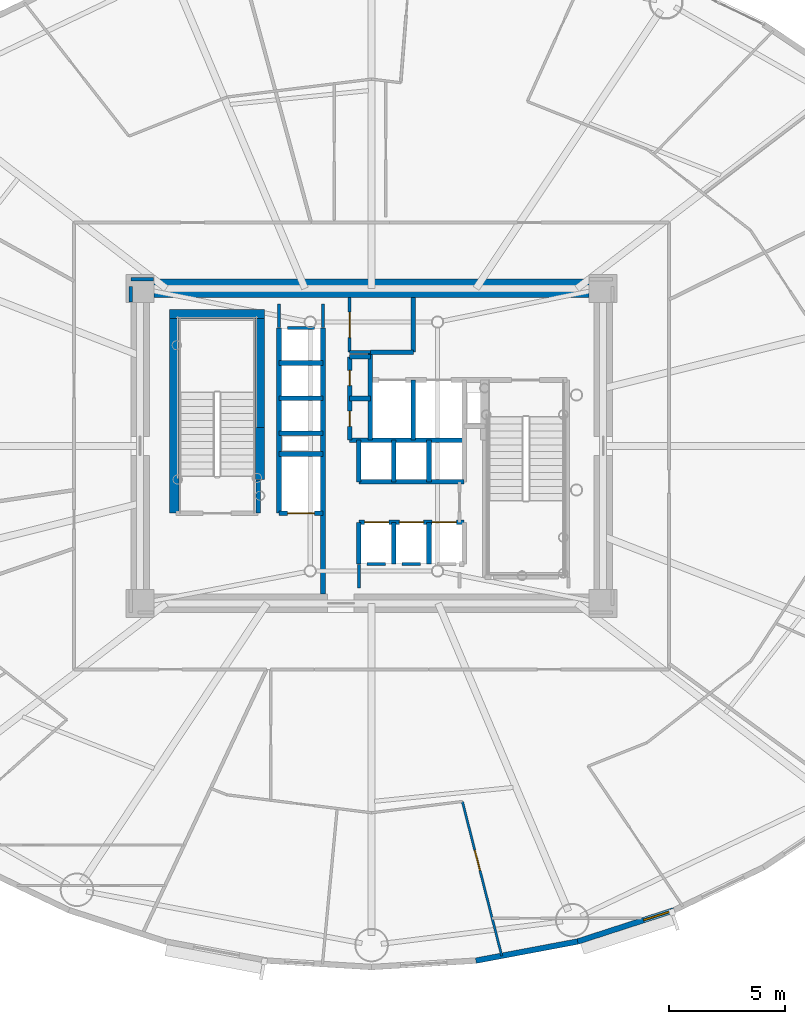
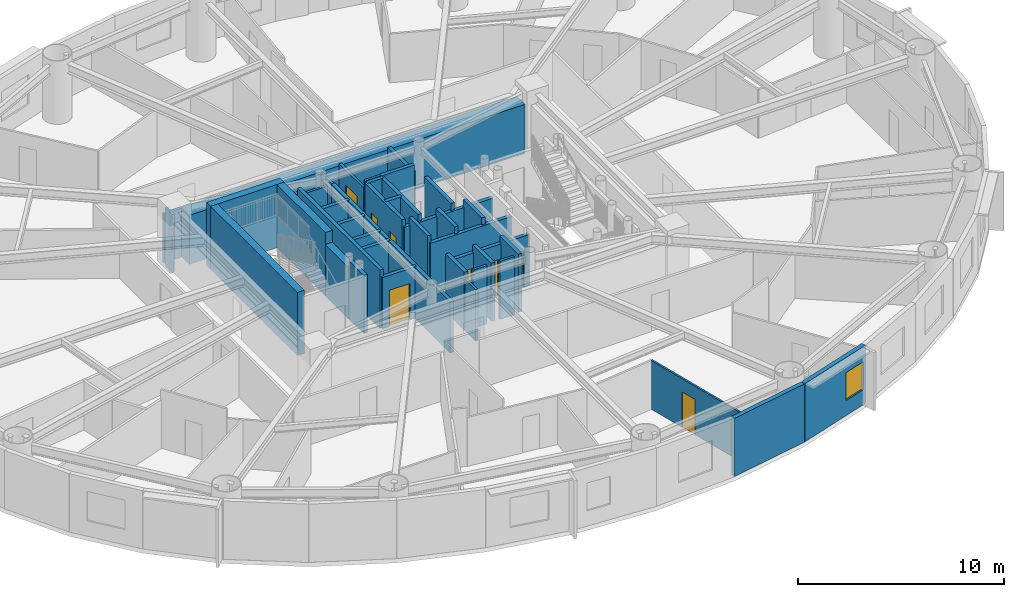
# One storey, part 8 of 17: 42 walls, 8 doors, 1 window, 9 openings.
"""IFC4 building model written with IfcOpenShell, lengths in metres."""

from ifc_helpers import new_model, si_unit, direction, frame, frame_2d, origin, origin_2d, place, context, subcontext, project, spatial, rectangle, extrude, source, transform, mapped, material, layer, layer_set, type_object, element, fill, save


model = new_model("IFC4")

# Units and contexts
model_context = context("Model", 3, precision=1e-05, world=origin(), true_north=direction((0.0, 1.0)))
body_context = subcontext(model_context, "Body", "Model", "MODEL_VIEW")
ifc_project = project(units=[si_unit("LENGTHUNIT", "METRE"), si_unit("AREAUNIT", "SQUARE_METRE"), si_unit("VOLUMEUNIT", "CUBIC_METRE"), si_unit("PLANEANGLEUNIT", "RADIAN"), si_unit("MASSUNIT", "GRAM", prefix="KILO")], contexts=[model_context])

# Site, building, storey
site_placement = place(None, origin())
site = spatial("IfcSite", under=ifc_project, at=site_placement, CompositionType="ELEMENT")
building_placement = place(site_placement, origin())
building = spatial("IfcBuilding", under=site, at=building_placement, Name="Linh Dai School and Residence Tower", CompositionType="ELEMENT")
storey_placement = place(building_placement, frame((0.0, 0.0, 142.199951171875)))
storey = spatial("IfcBuildingStorey", under=building, at=storey_placement, Name="L34", CompositionType="ELEMENT", Elevation=142.199951171875)

# Wall
ifc_material_1 = material(Name="Precast Concrete B45 (C35/45)", Category="concrete")
ifc_layer_1 = layer(ifc_material_1, 0.239990234375)
ifc_layer_set_1 = layer_set([ifc_layer_1], Name="Precast Concrete B45 (C35/45)")
wall_type_1 = type_object("IfcWallType", Name="EW-TC-240", PredefinedType="SOLIDWALL", material=ifc_layer_set_1)
wall_1_placement = place(storey_placement, frame((44.899658203125, 5.5986328125, 0.0), z_axis=(0.0, 0.0, 1.0), x_axis=(-0.982789252177, -0.184730305596, 0.0)))
element("IfcWall", 1, at=wall_1_placement, inside=storey, type_object=wall_type_1, Name="L34 Terracotta Exterior Wall 32", PredefinedType="SOLIDWALL", context=body_context, shape_type="SweptSolid", body=[
    extrude(rectangle(XDim=4.470947265625, YDim=0.239990234375, at=frame_2d((2.2353515625, 0.0))), origin(), (0.0, 0.0, 1.0), 3.449951171875),
])

# Wall, opening, window
wall_2_placement = place(storey_placement, frame((49.073974609375, 6.95263671875, 0.0), z_axis=(0.0, 0.0, 1.0), x_axis=(-0.951211346073, -0.308540070495, 0.0)))
wall_2 = element("IfcWall", 2, at=wall_2_placement, inside=storey, type_object=wall_type_1, Name="L34 Terracotta Exterior Wall 33", PredefinedType="SOLIDWALL", context=body_context, shape_type="SweptSolid", body=[
    extrude(rectangle(XDim=4.388427734375, YDim=0.239990234375, at=frame_2d((2.1943359375, 0.0))), origin(), (0.0, 0.0, 1.0), 3.449951171875),
])
opening_1_placement = place(wall_2_placement, frame((0.139892578125, 0.0, 0.89990234375)))
opening_1 = element("IfcOpeningElement", 3, at=opening_1_placement, cuts=wall_2, Name="Opening W3", PredefinedType="OPENING", context=body_context, shape_type="SweptSolid", body=[
    extrude(rectangle(XDim=1.25, YDim=1.64990234375, at=origin_2d()), frame((0.625, 0.1298828125, 0.824951171875), z_axis=(0.0, -1.0, 0.0), x_axis=(1.0, 0.0, 0.0)), (0.0, 0.0, 1.0), 0.260009765625),
])
ifc_material_2 = material(Name="Double Low-E Insulated Glazing", Category="glass")
window_type = type_object("IfcWindowType", Name="WN-RES-1250x1650", PartitioningType="SINGLE_PANEL", PredefinedType="WINDOW", material=ifc_material_2)
shared_shape_1 = source(origin(), body_context, "Body", "SweptSolid", [
    extrude(rectangle(XDim=1.25, YDim=1.64990234375, at=origin_2d()), frame((0.625, 0.030029296875, 0.824951171875), z_axis=(0.0, -1.0, 0.0), x_axis=(1.0, 0.0, 0.0)), (0.0, 0.0, 1.0), 0.06005859375),
])
window_placement = place(opening_1_placement, origin())
window = element("IfcWindow", 4, at=window_placement, inside=storey, type_object=window_type, Name="L34 Dwelling Window U3402-LIV", OverallHeight=1.64990234375, OverallWidth=1.25, PartitioningType="SINGLE_PANEL", PredefinedType="WINDOW", context=body_context, shape_type="MappedRepresentation", body=[
    mapped(shared_shape_1, transform((0.0, 0.0, 0.0), x_axis=(1.0, 0.0, 0.0), y_axis=(0.0, 1.0, 0.0), z_axis=(0.0, 0.0, 1.0), scale=1.0)),
])
fill(opening_1, window)

# Wall, opening, door
ifc_material_3 = material(Name="Autoclaved Aerated Concrete Blockwork", Category="masonry")
ifc_layer_2 = layer(ifc_material_3, 0.135009765625)
ifc_layer_set_2 = layer_set([ifc_layer_2], Name="Autoclaved Aerated Concrete Blockwork")
wall_type_2 = type_object("IfcWallType", Name="IW-CORR-135-EI90", PredefinedType="PARTITIONING", material=ifc_layer_set_2)
wall_3_placement = place(storey_placement, frame((35.050048828125, 31.050048828125, 0.0), z_axis=(0.0, 0.0, 1.0), x_axis=(0.0, 1.0, 0.0)))
wall_3 = element("IfcWall", 5, at=wall_3_placement, inside=storey, type_object=wall_type_2, Name="L34 Interior Partition Wall 041", PredefinedType="PARTITIONING", context=body_context, shape_type="SweptSolid", body=[
    extrude(rectangle(XDim=2.349853515625, YDim=0.135009765625, at=frame_2d((1.1748046875, 0.0))), origin(), (0.0, 0.0, 1.0), 3.03515625),
])
opening_2_placement = place(wall_3_placement, frame((0.625, 0.0, 0.0)))
opening_2 = element("IfcOpeningElement", 6, at=opening_2_placement, cuts=wall_3, Name="Opening D07", PredefinedType="OPENING", context=body_context, shape_type="SweptSolid", body=[
    extrude(rectangle(XDim=1.10009765625, YDim=2.14990234375, at=origin_2d()), frame((0.550048828125, 0.07763671875, 1.074951171875), z_axis=(0.0, -1.0, 0.0), x_axis=(1.0, 0.0, 0.0)), (0.0, 0.0, 1.0), 0.155029296875),
])
ifc_material_4 = material(Name="Fire-Rated Louvred Steel Plant Door", Category="steel")
door_type_1 = type_object("IfcDoorType", Name="DR-PLT-1100x2150-FD60S", OperationType="NOTDEFINED", PredefinedType="DOOR", material=ifc_material_4)
shared_shape_2 = source(origin(), body_context, "Body", "SweptSolid", [
    extrude(rectangle(XDim=1.10009765625, YDim=2.14990234375, at=origin_2d()), frame((0.550048828125, 0.02490234375, 1.074951171875), z_axis=(0.0, -1.0, 0.0), x_axis=(1.0, 0.0, 0.0)), (0.0, 0.0, 1.0), 0.050048828125),
])
door_1_placement = place(opening_2_placement, origin())
door_1 = element("IfcDoor", 7, at=door_1_placement, inside=storey, type_object=door_type_1, Name="L34 North BMS Switchroom Door", OperationType="SINGLE_SWING_RIGHT", OverallHeight=2.14990234375, OverallWidth=1.10009765625, PredefinedType="DOOR", context=body_context, shape_type="MappedRepresentation", body=[
    mapped(shared_shape_2, transform((0.0, 0.0, 0.0), x_axis=(1.0, 0.0, 0.0), y_axis=(0.0, 1.0, 0.0), z_axis=(0.0, 0.0, 1.0), scale=1.0)),
])
fill(opening_2, door_1)

# Walls
wall_4_placement = place(storey_placement, frame((35.050048828125, 31.050048828125, 0.0), z_axis=(0.0, 0.0, 1.0), x_axis=(1.0, 0.0, 0.0)))
element("IfcWall", 8, at=wall_4_placement, inside=storey, type_object=wall_type_2, Name="L34 Interior Partition Wall 042", PredefinedType="PARTITIONING", context=body_context, shape_type="SweptSolid", body=[
    extrude(rectangle(XDim=0.89990234375, YDim=0.135009765625, at=frame_2d((0.449951171875, 0.0))), origin(), (0.0, 0.0, 1.0), 3.449951171875),
])
wall_5_placement = place(storey_placement, frame((36.60009765625, 21.89990234375, 0.0), z_axis=(0.0, 0.0, 1.0), x_axis=(-1.0, 0.0, 0.0)))
element("IfcWall", 9, at=wall_5_placement, inside=storey, type_object=wall_type_2, Name="L34 Interior Partition Wall 093", PredefinedType="PARTITIONING", context=body_context, shape_type="SweptSolid", body=[
    extrude(rectangle(XDim=0.7900390625, YDim=0.135009765625, at=frame_2d((0.39501953125, 0.0))), origin(), (0.0, 0.0, 1.0), 3.449951171875),
])
wall_6_placement = place(storey_placement, frame((38.1201171875, 21.89990234375, 0.0), z_axis=(0.0, 0.0, 1.0), x_axis=(-1.0, 0.0, 0.0)))
element("IfcWall", 10, at=wall_6_placement, inside=storey, type_object=wall_type_2, Name="L34 Interior Partition Wall 094", PredefinedType="PARTITIONING", context=body_context, shape_type="SweptSolid", body=[
    extrude(rectangle(XDim=0.800048828125, YDim=0.135009765625, at=frame_2d((0.39990234375, 0.0))), origin(), (0.0, 0.0, 1.0), 3.449951171875),
])
wall_7_placement = place(storey_placement, frame((32.360107421875, 32.10009765625, 0.0), z_axis=(0.0, 0.0, 1.0), x_axis=(1.0, 0.0, 0.0)))
element("IfcWall", 11, at=wall_7_placement, inside=storey, type_object=wall_type_2, Name="L34 Interior Partition Wall 096", PredefinedType="PARTITIONING", context=body_context, shape_type="SweptSolid", body=[
    extrude(rectangle(XDim=1.179931640625, YDim=0.135009765625, at=frame_2d((0.58984375, 0.0))), origin(), (0.0, 0.0, 1.0), 3.03515625),
])
wall_8_placement = place(storey_placement, frame((32.0, 33.139892578125, 0.0), z_axis=(0.0, 0.0, 1.0), x_axis=(0.0, -1.0, 0.0)))
element("IfcWall", 12, at=wall_8_placement, inside=storey, type_object=wall_type_2, Name="L34 Interior Partition Wall 098", PredefinedType="PARTITIONING", context=body_context, shape_type="SweptSolid", body=[
    extrude(rectangle(XDim=1.02978515625, YDim=0.135009765625, at=frame_2d((0.514892578125, 0.0))), origin(), (0.0, 0.0, 1.0), 2.985107421875),
])
for number, where, z_axis, x_axis, name in (
    (13, (35.449951171875, 21.889892578125, 0.0), (0.0, 0.0, 1.0), (0.0, -1.0, 0.0), "L34 Interior Partition Wall 100"),
    (14, (33.89990234375, 32.110107421875, 0.0), (0.0, 0.0, 1.0), (0.0, 1.0, 0.0), "L34 Interior Partition Wall 101"),
):
    element("IfcWall", number, at=place(storey_placement, frame(where, z_axis=z_axis, x_axis=x_axis)), inside=storey, type_object=wall_type_2, Name=name, PredefinedType="PARTITIONING", context=body_context, shape_type="SweptSolid", body=[
        extrude(rectangle(XDim=1.02978515625, YDim=0.135009765625, at=frame_2d((0.514892578125, 0.0))), origin(), (0.0, 0.0, 1.0), 3.03515625),
    ])
wall_9_placement = place(storey_placement, frame((26.590087890625, 34.199951171875, 0.0), z_axis=(0.0, 0.0, 1.0), x_axis=(-1.0, 0.0, 0.0)))
element("IfcWall", 15, at=wall_9_placement, inside=storey, type_object=wall_type_2, Name="L34 Interior Partition Wall 105", PredefinedType="PARTITIONING", context=body_context, shape_type="SweptSolid", body=[
    extrude(rectangle(XDim=0.989990234375, YDim=0.135009765625, at=frame_2d((0.4951171875, 0.0))), origin(), (0.0, 0.0, 1.0), 2.885009765625),
])
wall_10_placement = place(storey_placement, frame((25.60009765625, 33.892578125, 0.0), z_axis=(0.0, 0.0, 1.0), x_axis=(0.0, -1.0, 0.0)))
element("IfcWall", 16, at=wall_10_placement, inside=storey, type_object=wall_type_2, Name="L34 Interior Partition Wall 106", PredefinedType="PARTITIONING", context=body_context, shape_type="SweptSolid", body=[
    extrude(rectangle(XDim=0.6826171875, YDim=0.135009765625, at=frame_2d((0.34130859375, 0.0))), origin(), (0.0, 0.0, 1.0), 3.449951171875),
])
ifc_material_5 = material(Name="Concrete B45 (C35/45)", Category="concrete")
ifc_layer_3 = layer(ifc_material_5, 0.199951171875)
ifc_layer_set_3 = layer_set([ifc_layer_3], Name="Concrete B45 (C35/45)")
wall_type_3 = type_object("IfcWallType", Name="IW-SHAFT-200-EI120", PredefinedType="PARTITIONING", material=ifc_layer_set_3)
wall_11_placement = place(storey_placement, frame((31.10009765625, 24.10009765625, 0.0), z_axis=(0.0, 0.0, 1.0), x_axis=(0.0, 1.0, 0.0)))
element("IfcWall", 17, at=wall_11_placement, inside=storey, type_object=wall_type_3, Name="L34 Interior Partition Wall 025", PredefinedType="PARTITIONING", context=body_context, shape_type="SweptSolid", body=[
    extrude(rectangle(XDim=1.43994140625, YDim=0.199951171875, at=frame_2d((0.719970703125, 0.0))), origin(), (0.0, 0.0, 1.0), 3.449951171875),
])
wall_12_placement = place(storey_placement, frame((32.0, 24.10009765625, 0.0), z_axis=(0.0, 0.0, 1.0), x_axis=(0.0, 1.0, 0.0)))
element("IfcWall", 18, at=wall_12_placement, inside=storey, type_object=wall_type_3, Name="L34 Interior Partition Wall 028", PredefinedType="PARTITIONING", context=body_context, shape_type="SweptSolid", body=[
    extrude(rectangle(XDim=8.0, YDim=0.199951171875, at=frame_2d((4.0, 0.0))), origin(), (0.0, 0.0, 1.0), 3.449951171875),
])

# Wall, opening, door
wall_13_placement = place(storey_placement, frame((32.0, 24.10009765625, 0.0), z_axis=(0.0, 0.0, 1.0), x_axis=(1.0, 0.0, 0.0)))
wall_13 = element("IfcWall", 19, at=wall_13_placement, inside=storey, type_object=wall_type_3, Name="L34 Interior Partition Wall 029", PredefinedType="PARTITIONING", context=body_context, shape_type="SweptSolid", body=[
    extrude(rectangle(XDim=1.89990234375, YDim=0.199951171875, at=frame_2d((0.949951171875, 0.0))), origin(), (0.0, 0.0, 1.0), 3.03515625),
])
opening_3_placement = place(wall_13_placement, frame((0.375, 0.0, 0.0)))
opening_3 = element("IfcOpeningElement", 20, at=opening_3_placement, cuts=wall_13, Name="Opening LD-FF2", PredefinedType="OPENING", context=body_context, shape_type="SweptSolid", body=[
    extrude(rectangle(XDim=1.14990234375, YDim=2.14990234375, at=origin_2d()), frame((0.574951171875, 0.10986328125, 1.074951171875), z_axis=(0.0, -1.0, 0.0), x_axis=(1.0, 0.0, 0.0)), (0.0, 0.0, 1.0), 0.219970703125),
])
ifc_material_6 = material(Name="Fire-Rated Stainless Steel Firefighting Lift Door", Category="steel")
door_type_2 = type_object("IfcDoorType", Name="DR-LD-FF-1150x2150-FD120", OperationType="DOUBLE_DOOR_SLIDING", PredefinedType="USERDEFINED", material=ifc_material_6)
shared_shape_3 = source(origin(), body_context, "Body", "SweptSolid", [
    extrude(rectangle(XDim=1.14990234375, YDim=2.14990234375, at=origin_2d()), frame((0.574951171875, 0.02490234375, 1.074951171875), z_axis=(0.0, -1.0, 0.0), x_axis=(1.0, 0.0, 0.0)), (0.0, 0.0, 1.0), 0.050048828125),
])
door_2_placement = place(opening_3_placement, origin())
door_2 = element("IfcDoor", 21, at=door_2_placement, inside=storey, type_object=door_type_2, Name="L34 Lift FF2 Sliding Landing Door", ObjectType="LANDING DOOR", OperationType="DOUBLE_DOOR_SLIDING", OverallHeight=2.14990234375, OverallWidth=1.14990234375, PredefinedType="USERDEFINED", context=body_context, shape_type="MappedRepresentation", body=[
    mapped(shared_shape_3, transform((0.0, 0.0, 0.0), x_axis=(1.0, 0.0, 0.0), y_axis=(0.0, 1.0, 0.0), z_axis=(0.0, 0.0, 1.0), scale=1.0)),
])
fill(opening_3, door_2)

# Walls
for number, where, z_axis, x_axis, name in (
    (22, (32.0, 26.64990234375, 0.0), (0.0, 0.0, 1.0), (1.0, 0.0, 0.0), "L34 Interior Partition Wall 030"),
    (23, (32.0, 27.550048828125, 0.0), (0.0, 0.0, 1.0), (1.0, 0.0, 0.0), "L34 Interior Partition Wall 031"),
    (24, (32.0, 29.06005859375, 0.0), (0.0, 0.0, 1.0), (1.0, 0.0, 0.0), "L34 Interior Partition Wall 032"),
    (25, (32.0, 30.580078125, 0.0), (0.0, 0.0, 1.0), (1.0, 0.0, 0.0), "L34 Interior Partition Wall 033"),
):
    element("IfcWall", number, at=place(storey_placement, frame(where, z_axis=z_axis, x_axis=x_axis)), inside=storey, type_object=wall_type_3, Name=name, PredefinedType="PARTITIONING", context=body_context, shape_type="SweptSolid", body=[
        extrude(rectangle(XDim=1.89990234375, YDim=0.199951171875, at=frame_2d((0.949951171875, 0.0))), origin(), (0.0, 0.0, 1.0), 3.03515625),
    ])
wall_14_placement = place(storey_placement, frame((33.89990234375, 20.60009765625, 0.0), z_axis=(0.0, 0.0, 1.0), x_axis=(0.0, 1.0, 0.0)))
element("IfcWall", 26, at=wall_14_placement, inside=storey, type_object=wall_type_3, Name="L34 Interior Partition Wall 035", PredefinedType="PARTITIONING", context=body_context, shape_type="SweptSolid", body=[
    extrude(rectangle(XDim=11.5, YDim=0.199951171875, at=frame_2d((5.75, 0.0))), origin(), (0.0, 0.0, 1.0), 3.03515625),
])

# Wall, openings, doors
wall_15_placement = place(storey_placement, frame((35.050048828125, 27.25, 0.0), z_axis=(0.0, 0.0, 1.0), x_axis=(0.0, 1.0, 0.0)))
wall_15 = element("IfcWall", 27, at=wall_15_placement, inside=storey, type_object=wall_type_3, Name="L34 Interior Partition Wall 037", PredefinedType="PARTITIONING", context=body_context, shape_type="SweptSolid", body=[
    extrude(rectangle(XDim=3.60009765625, YDim=0.199951171875, at=frame_2d((1.800048828125, 0.0))), origin(), (0.0, 0.0, 1.0), 3.449951171875),
])
opening_4_placement = place(wall_15_placement, frame((0.590087890625, 0.0, 0.0)))
opening_4 = element("IfcOpeningElement", 28, at=opening_4_placement, cuts=wall_15, Name="Opening AD1", PredefinedType="OPENING", context=body_context, shape_type="SweptSolid", body=[
    extrude(rectangle(XDim=0.659912109375, YDim=2.050048828125, at=origin_2d()), frame((0.330078125, 0.10986328125, 1.02490234375), z_axis=(0.0, -1.0, 0.0), x_axis=(1.0, 0.0, 0.0)), (0.0, 0.0, 1.0), 0.219970703125),
])
opening_5_placement = place(wall_15_placement, frame((2.35009765625, 0.0, 0.0)))
opening_5 = element("IfcOpeningElement", 29, at=opening_5_placement, cuts=wall_15, Name="Opening AD1", PredefinedType="OPENING", context=body_context, shape_type="SweptSolid", body=[
    extrude(rectangle(XDim=0.659912109375, YDim=2.050048828125, at=origin_2d()), frame((0.330078125, 0.10986328125, 1.02490234375), z_axis=(0.0, -1.0, 0.0), x_axis=(1.0, 0.0, 0.0)), (0.0, 0.0, 1.0), 0.219970703125),
])
ifc_material_7 = material(Name="Fire-Rated Steel Riser Access Door", Category="steel")
door_type_3 = type_object("IfcDoorType", Name="DR-ACC-660x2050-FD90S", OperationType="NOTDEFINED", PredefinedType="USERDEFINED", material=ifc_material_7)
shared_shape_4 = source(origin(), body_context, "Body", "SweptSolid", [
    extrude(rectangle(XDim=0.659912109375, YDim=2.050048828125, at=origin_2d()), frame((0.330078125, 0.02490234375, 1.02490234375), z_axis=(0.0, -1.0, 0.0), x_axis=(1.0, 0.0, 0.0)), (0.0, 0.0, 1.0), 0.050048828125),
])
door_3_placement = place(opening_4_placement, origin())
door_3 = element("IfcDoor", 30, at=door_3_placement, inside=storey, type_object=door_type_3, Name="L34 Telecom and Data Riser Access Door", ObjectType="ACCESS DOOR", OperationType="SINGLE_SWING_RIGHT", OverallHeight=2.050048828125, OverallWidth=0.659912109375, PredefinedType="USERDEFINED", context=body_context, shape_type="MappedRepresentation", body=[
    mapped(shared_shape_4, transform((0.0, 0.0, 0.0), x_axis=(1.0, 0.0, 0.0), y_axis=(0.0, 1.0, 0.0), z_axis=(0.0, 0.0, 1.0), scale=1.0)),
])
fill(opening_4, door_3)
door_4_placement = place(opening_5_placement, origin())
door_4 = element("IfcDoor", 31, at=door_4_placement, inside=storey, type_object=door_type_3, Name="L34 Mechanical and Plumbing Riser Access Door", ObjectType="ACCESS DOOR", OperationType="SINGLE_SWING_LEFT", OverallHeight=2.050048828125, OverallWidth=0.659912109375, PredefinedType="USERDEFINED", context=body_context, shape_type="MappedRepresentation", body=[
    mapped(shared_shape_4, transform((0.0, 0.0, 0.0), x_axis=(1.0, 0.0, 0.0), y_axis=(0.0, 1.0, 0.0), z_axis=(0.0, 0.0, 1.0), scale=1.0)),
])
fill(opening_5, door_4)

# Walls
wall_16_placement = place(storey_placement, frame((35.050048828125, 27.25, 0.0), z_axis=(0.0, 0.0, 1.0), x_axis=(1.0, 0.0, 0.0)))
element("IfcWall", 32, at=wall_16_placement, inside=storey, type_object=wall_type_3, Name="L34 Interior Partition Wall 038", PredefinedType="PARTITIONING", context=body_context, shape_type="SweptSolid", body=[
    extrude(rectangle(XDim=4.949951171875, YDim=0.199951171875, at=frame_2d((2.47509765625, 0.0))), origin(), (0.0, 0.0, 1.0), 3.03515625),
])
for number, where, z_axis, x_axis, name in (
    (33, (35.050048828125, 29.050048828125, 0.0), (0.0, 0.0, 1.0), (1.0, 0.0, 0.0), "L34 Interior Partition Wall 039"),
    (34, (35.050048828125, 30.85009765625, 0.0), (0.0, 0.0, 1.0), (1.0, 0.0, 0.0), "L34 Interior Partition Wall 040"),
):
    element("IfcWall", number, at=place(storey_placement, frame(where, z_axis=z_axis, x_axis=x_axis)), inside=storey, type_object=wall_type_3, Name=name, PredefinedType="PARTITIONING", context=body_context, shape_type="SweptSolid", body=[
        extrude(rectangle(XDim=0.89990234375, YDim=0.199951171875, at=frame_2d((0.449951171875, 0.0))), origin(), (0.0, 0.0, 1.0), 3.449951171875),
    ])
wall_17_placement = place(storey_placement, frame((35.449951171875, 21.89990234375, 0.0), z_axis=(0.0, 0.0, 1.0), x_axis=(0.0, 1.0, 0.0)))
element("IfcWall", 35, at=wall_17_placement, inside=storey, type_object=wall_type_3, Name="L34 Interior Partition Wall 043", PredefinedType="PARTITIONING", context=body_context, shape_type="SweptSolid", body=[
    extrude(rectangle(XDim=1.800048828125, YDim=0.199951171875, at=frame_2d((0.89990234375, 0.0))), origin(), (0.0, 0.0, 1.0), 3.449951171875),
])

# Wall, openings, doors
wall_18_placement = place(storey_placement, frame((35.449951171875, 23.699951171875, 0.0), z_axis=(0.0, 0.0, 1.0), x_axis=(1.0, 0.0, 0.0)))
wall_18 = element("IfcWall", 36, at=wall_18_placement, inside=storey, type_object=wall_type_3, Name="L34 Interior Partition Wall 044", PredefinedType="PARTITIONING", context=body_context, shape_type="SweptSolid", body=[
    extrude(rectangle(XDim=4.550048828125, YDim=0.199951171875, at=frame_2d((2.27490234375, 0.0))), origin(), (0.0, 0.0, 1.0), 3.03515625),
])
opening_6_placement = place(wall_18_placement, frame((0.25, 0.0, 0.0)))
opening_6 = element("IfcOpeningElement", 37, at=opening_6_placement, cuts=wall_18, Name="Opening LD-PL1", PredefinedType="OPENING", context=body_context, shape_type="SweptSolid", body=[
    extrude(rectangle(XDim=1.050048828125, YDim=2.14990234375, at=origin_2d()), frame((0.52490234375, 0.10986328125, 1.074951171875), z_axis=(0.0, -1.0, 0.0), x_axis=(1.0, 0.0, 0.0)), (0.0, 0.0, 1.0), 0.219970703125),
])
opening_7_placement = place(wall_18_placement, frame((1.7451171875, 0.0, 0.0)))
opening_7 = element("IfcOpeningElement", 38, at=opening_7_placement, cuts=wall_18, Name="Opening LD-PL2", PredefinedType="OPENING", context=body_context, shape_type="SweptSolid", body=[
    extrude(rectangle(XDim=1.050048828125, YDim=2.14990234375, at=origin_2d()), frame((0.52490234375, 0.10986328125, 1.074951171875), z_axis=(0.0, -1.0, 0.0), x_axis=(1.0, 0.0, 0.0)), (0.0, 0.0, 1.0), 0.219970703125),
])
opening_8_placement = place(wall_18_placement, frame((3.1650390625, 0.0, 0.0)))
opening_8 = element("IfcOpeningElement", 39, at=opening_8_placement, cuts=wall_18, Name="Opening LD-PL3", PredefinedType="OPENING", context=body_context, shape_type="SweptSolid", body=[
    extrude(rectangle(XDim=1.050048828125, YDim=2.14990234375, at=origin_2d()), frame((0.52490234375, 0.10986328125, 1.074951171875), z_axis=(0.0, -1.0, 0.0), x_axis=(1.0, 0.0, 0.0)), (0.0, 0.0, 1.0), 0.219970703125),
])
ifc_material_8 = material(Name="Brushed Stainless Steel Lift Landing Door", Category="steel")
door_type_4 = type_object("IfcDoorType", Name="DR-LD-PASS-1050x2150", OperationType="DOUBLE_DOOR_SLIDING", PredefinedType="USERDEFINED", material=ifc_material_8)
shared_shape_5 = source(origin(), body_context, "Body", "SweptSolid", [
    extrude(rectangle(XDim=1.050048828125, YDim=2.14990234375, at=origin_2d()), frame((0.52490234375, 0.02490234375, 1.074951171875), z_axis=(0.0, -1.0, 0.0), x_axis=(1.0, 0.0, 0.0)), (0.0, 0.0, 1.0), 0.050048828125),
])
door_5_placement = place(opening_6_placement, origin())
door_5 = element("IfcDoor", 40, at=door_5_placement, inside=storey, type_object=door_type_4, Name="L34 Lift PL1 Sliding Landing Door", ObjectType="LANDING DOOR", OperationType="DOUBLE_DOOR_SLIDING", OverallHeight=2.14990234375, OverallWidth=1.050048828125, PredefinedType="USERDEFINED", context=body_context, shape_type="MappedRepresentation", body=[
    mapped(shared_shape_5, transform((0.0, 0.0, 0.0), x_axis=(1.0, 0.0, 0.0), y_axis=(0.0, 1.0, 0.0), z_axis=(0.0, 0.0, 1.0), scale=1.0)),
])
fill(opening_6, door_5)
door_6_placement = place(opening_7_placement, origin())
door_6 = element("IfcDoor", 41, at=door_6_placement, inside=storey, type_object=door_type_4, Name="L34 Lift PL2 Sliding Landing Door", ObjectType="LANDING DOOR", OperationType="DOUBLE_DOOR_SLIDING", OverallHeight=2.14990234375, OverallWidth=1.050048828125, PredefinedType="USERDEFINED", context=body_context, shape_type="MappedRepresentation", body=[
    mapped(shared_shape_5, transform((0.0, 0.0, 0.0), x_axis=(1.0, 0.0, 0.0), y_axis=(0.0, 1.0, 0.0), z_axis=(0.0, 0.0, 1.0), scale=1.0)),
])
fill(opening_7, door_6)
door_7_placement = place(opening_8_placement, origin())
door_7 = element("IfcDoor", 42, at=door_7_placement, inside=storey, type_object=door_type_4, Name="L34 Lift PL3 Sliding Landing Door", ObjectType="LANDING DOOR", OperationType="DOUBLE_DOOR_SLIDING", OverallHeight=2.14990234375, OverallWidth=1.050048828125, PredefinedType="USERDEFINED", context=body_context, shape_type="MappedRepresentation", body=[
    mapped(shared_shape_5, transform((0.0, 0.0, 0.0), x_axis=(1.0, 0.0, 0.0), y_axis=(0.0, 1.0, 0.0), z_axis=(0.0, 0.0, 1.0), scale=1.0)),
])
fill(opening_8, door_7)

# Walls
wall_19_placement = place(storey_placement, frame((35.449951171875, 25.449951171875, 0.0), z_axis=(0.0, 0.0, 1.0), x_axis=(0.0, 1.0, 0.0)))
element("IfcWall", 43, at=wall_19_placement, inside=storey, type_object=wall_type_3, Name="L34 Interior Partition Wall 045", PredefinedType="PARTITIONING", context=body_context, shape_type="SweptSolid", body=[
    extrude(rectangle(XDim=1.800048828125, YDim=0.199951171875, at=frame_2d((0.89990234375, 0.0))), origin(), (0.0, 0.0, 1.0), 3.449951171875),
])
wall_20_placement = place(storey_placement, frame((35.449951171875, 25.449951171875, 0.0), z_axis=(0.0, 0.0, 1.0), x_axis=(1.0, 0.0, 0.0)))
element("IfcWall", 44, at=wall_20_placement, inside=storey, type_object=wall_type_3, Name="L34 Interior Partition Wall 046", PredefinedType="PARTITIONING", context=body_context, shape_type="SweptSolid", body=[
    extrude(rectangle(XDim=4.550048828125, YDim=0.199951171875, at=frame_2d((2.27490234375, 0.0))), origin(), (0.0, 0.0, 1.0), 3.03515625),
])
wall_21_placement = place(storey_placement, frame((35.949951171875, 27.25, 0.0), z_axis=(0.0, 0.0, 1.0), x_axis=(0.0, 1.0, 0.0)))
element("IfcWall", 45, at=wall_21_placement, inside=storey, type_object=wall_type_3, Name="L34 Interior Partition Wall 047", PredefinedType="PARTITIONING", context=body_context, shape_type="SweptSolid", body=[
    extrude(rectangle(XDim=3.800048828125, YDim=0.199951171875, at=frame_2d((1.89990234375, 0.0))), origin(), (0.0, 0.0, 1.0), 3.449951171875),
])
wall_22_placement = place(storey_placement, frame((35.9599609375, 31.050048828125, 0.0), z_axis=(0.0, 0.0, 1.0), x_axis=(1.0, 0.0, 0.0)))
element("IfcWall", 46, at=wall_22_placement, inside=storey, type_object=wall_type_3, Name="L34 Interior Partition Wall 049", PredefinedType="PARTITIONING", context=body_context, shape_type="SweptSolid", body=[
    extrude(rectangle(XDim=1.840087890625, YDim=0.199951171875, at=frame_2d((0.919921875, 0.0))), origin(), (0.0, 0.0, 1.0), 3.449951171875),
])
for number, where, z_axis, x_axis, name in (
    (47, (36.9599609375, 21.89990234375, 0.0), (0.0, 0.0, 1.0), (0.0, 1.0, 0.0), "L34 Interior Partition Wall 054"),
    (48, (36.9599609375, 25.449951171875, 0.0), (0.0, 0.0, 1.0), (0.0, 1.0, 0.0), "L34 Interior Partition Wall 055"),
):
    element("IfcWall", number, at=place(storey_placement, frame(where, z_axis=z_axis, x_axis=x_axis)), inside=storey, type_object=wall_type_3, Name=name, PredefinedType="PARTITIONING", context=body_context, shape_type="SweptSolid", body=[
        extrude(rectangle(XDim=1.800048828125, YDim=0.199951171875, at=frame_2d((0.89990234375, 0.0))), origin(), (0.0, 0.0, 1.0), 3.449951171875),
    ])
wall_23_placement = place(storey_placement, frame((37.800048828125, 27.25, 0.0), z_axis=(0.0, 0.0, 1.0), x_axis=(0.0, 1.0, 0.0)))
element("IfcWall", 49, at=wall_23_placement, inside=storey, type_object=wall_type_3, Name="L34 Interior Partition Wall 057", PredefinedType="PARTITIONING", context=body_context, shape_type="SweptSolid", body=[
    extrude(rectangle(XDim=2.60009765625, YDim=0.199951171875, at=frame_2d((1.300048828125, 0.0))), origin(), (0.0, 0.0, 1.0), 3.449951171875),
])
wall_24_placement = place(storey_placement, frame((37.800048828125, 31.050048828125, 0.0), z_axis=(0.0, 0.0, 1.0), x_axis=(0.0, 1.0, 0.0)))
element("IfcWall", 50, at=wall_24_placement, inside=storey, type_object=wall_type_3, Name="L34 Interior Partition Wall 058", PredefinedType="PARTITIONING", context=body_context, shape_type="SweptSolid", body=[
    extrude(rectangle(XDim=2.349853515625, YDim=0.199951171875, at=frame_2d((1.1748046875, 0.0))), origin(), (0.0, 0.0, 1.0), 3.03515625),
])
for number, where, z_axis, x_axis, name in (
    (51, (38.47998046875, 21.89990234375, 0.0), (0.0, 0.0, 1.0), (0.0, 1.0, 0.0), "L34 Interior Partition Wall 060"),
    (52, (38.47998046875, 25.449951171875, 0.0), (0.0, 0.0, 1.0), (0.0, 1.0, 0.0), "L34 Interior Partition Wall 061"),
):
    element("IfcWall", number, at=place(storey_placement, frame(where, z_axis=z_axis, x_axis=x_axis)), inside=storey, type_object=wall_type_3, Name=name, PredefinedType="PARTITIONING", context=body_context, shape_type="SweptSolid", body=[
        extrude(rectangle(XDim=1.800048828125, YDim=0.199951171875, at=frame_2d((0.89990234375, 0.0))), origin(), (0.0, 0.0, 1.0), 3.449951171875),
    ])

# Wall, opening, door
ifc_material_9 = material(Name="Gypsum Plasterboard Acoustic Stud Partition", Category="masonry")
ifc_layer_4 = layer(ifc_material_9, 0.10009765625)
ifc_layer_set_4 = layer_set([ifc_layer_4], Name="Gypsum Plasterboard Acoustic Stud Partition")
wall_type_4 = type_object("IfcWallType", Name="IW-UNIT-100", PredefinedType="PARTITIONING", material=ifc_layer_set_4)
wall_25_placement = place(storey_placement, frame((39.92041015625, 11.645263671875, 0.0), z_axis=(0.0, 0.0, 1.0), x_axis=(0.24735773306, -0.968924224021, 0.0)))
wall_25 = element("IfcWall", 53, at=wall_25_placement, inside=storey, type_object=wall_type_4, Name="L34 Interior Partition Wall 064", PredefinedType="PARTITIONING", context=body_context, shape_type="SweptSolid", body=[
    extrude(rectangle(XDim=6.88134765625, YDim=0.10009765625, at=frame_2d((3.440673828125, 0.0))), origin(), (0.0, 0.0, 1.0), 2.885009765625),
])
opening_9_placement = place(wall_25_placement, frame((2.172119140625, 0.0, 0.0)))
opening_9 = element("IfcOpeningElement", 54, at=opening_9_placement, cuts=wall_25, Name="Opening D05", PredefinedType="OPENING", context=body_context, shape_type="SweptSolid", body=[
    extrude(rectangle(XDim=0.89990234375, YDim=2.10009765625, at=origin_2d()), frame((0.449951171875, 0.06005859375, 1.050048828125), z_axis=(0.0, -1.0, 0.0), x_axis=(1.0, 0.0, 0.0)), (0.0, 0.0, 1.0), 0.1201171875),
])
ifc_material_10 = material(Name="Engineered Timber Internal Door", Category="wood")
door_type_5 = type_object("IfcDoorType", Name="DR-INT-900x2100", OperationType="NOTDEFINED", PredefinedType="DOOR", material=ifc_material_10)
shared_shape_6 = source(origin(), body_context, "Body", "SweptSolid", [
    extrude(rectangle(XDim=0.89990234375, YDim=2.10009765625, at=origin_2d()), frame((0.449951171875, 0.02490234375, 1.050048828125), z_axis=(0.0, -1.0, 0.0), x_axis=(1.0, 0.0, 0.0)), (0.0, 0.0, 1.0), 0.050048828125),
])
door_8_placement = place(opening_9_placement, origin())
door_8 = element("IfcDoor", 55, at=door_8_placement, inside=storey, type_object=door_type_5, Name="L34 Apartment U3402 Principal Bedroom 2 Door", OperationType="SINGLE_SWING_RIGHT", OverallHeight=2.10009765625, OverallWidth=0.89990234375, PredefinedType="DOOR", context=body_context, shape_type="MappedRepresentation", body=[
    mapped(shared_shape_6, transform((0.0, 0.0, 0.0), x_axis=(1.0, 0.0, 0.0), y_axis=(0.0, 1.0, 0.0), z_axis=(0.0, 0.0, 1.0), scale=1.0)),
])
fill(opening_9, door_8)

# Walls
ifc_layer_5 = layer(ifc_material_5, 0.39990234375)
ifc_layer_set_5 = layer_set([ifc_layer_5], Name="Concrete B45 (C35/45)")
wall_type_5 = type_object("IfcWallType", Name="WL-CORE400", PredefinedType="SHEAR", material=ifc_layer_set_5)
wall_26_placement = place(storey_placement, frame((27.47998046875, 24.10009765625, 0.0), z_axis=(0.0, 0.0, 1.0), x_axis=(0.0, 1.0, 0.0)))
element("IfcWall", 56, at=wall_26_placement, inside=storey, type_object=wall_type_5, Name="L34 Core Stair ST1 Bearing Wall W", PredefinedType="SHEAR", context=body_context, shape_type="SweptSolid", body=[
    extrude(rectangle(XDim=8.599853515625, YDim=0.39990234375, at=frame_2d((4.2998046875, 0.0))), origin(), (0.0, 0.0, 1.0), 3.75),
])
wall_27_placement = place(storey_placement, frame((31.179931640625, 27.800048828125, 0.0), z_axis=(0.0, 0.0, 1.0), x_axis=(0.0, 1.0, 0.0)))
element("IfcWall", 57, at=wall_27_placement, inside=storey, type_object=wall_type_5, Name="L34 Core Stair ST1 Bearing Wall E", PredefinedType="SHEAR", context=body_context, shape_type="SweptSolid", body=[
    extrude(rectangle(XDim=4.89990234375, YDim=0.39990234375, at=frame_2d((2.449951171875, 0.0))), origin(), (0.0, 0.0, 1.0), 3.75),
])
wall_28_placement = place(storey_placement, frame((27.280029296875, 32.699951171875, 0.0), z_axis=(0.0, 0.0, 1.0), x_axis=(1.0, 0.0, 0.0)))
element("IfcWall", 58, at=wall_28_placement, inside=storey, type_object=wall_type_5, Name="L34 Core Stair ST1 Bearing Wall N", PredefinedType="SHEAR", context=body_context, shape_type="SweptSolid", body=[
    extrude(rectangle(XDim=4.099853515625, YDim=0.39990234375, at=frame_2d((2.0498046875, 0.0))), origin(), (0.0, 0.0, 1.0), 3.75),
])
wall_29_placement = place(storey_placement, frame((31.179931640625, 25.550048828125, 0.0), z_axis=(0.0, 0.0, 1.0), x_axis=(0.0, 1.0, 0.0)))
element("IfcWall", 59, at=wall_29_placement, inside=storey, type_object=wall_type_5, Name="L34 Internal Core Shear Wall IW", PredefinedType="SHEAR", context=body_context, shape_type="SweptSolid", body=[
    extrude(rectangle(XDim=2.25, YDim=0.39990234375, at=frame_2d((1.125, 0.0))), origin(), (0.0, 0.0, 1.0), 3.050048828125),
])
ifc_material_11 = material(Name="Concrete B60 (C50/60)", Category="concrete")
ifc_layer_6 = layer(ifc_material_11, 0.800048828125)
ifc_layer_set_6 = layer_set([ifc_layer_6], Name="Concrete B60 (C50/60)")
wall_type_6 = type_object("IfcWallType", Name="WL-CORE800", PredefinedType="SHEAR", material=ifc_layer_set_6)
wall_30_placement = place(storey_placement, frame((26.60009765625, 33.800048828125, 0.0), z_axis=(0.0, 0.0, 1.0), x_axis=(1.0, 0.0, 0.0)))
element("IfcWall", 60, at=wall_30_placement, inside=storey, type_object=wall_type_6, Name="L34 Central Core Shear Wall N", PredefinedType="SHEAR", context=body_context, shape_type="SweptSolid", body=[
    extrude(rectangle(XDim=18.7998046875, YDim=0.800048828125, at=frame_2d((9.39990234375, 0.0))), origin(), (0.0, 0.0, 1.0), 2.900146484375),
])

save(model, "model.ifc")
